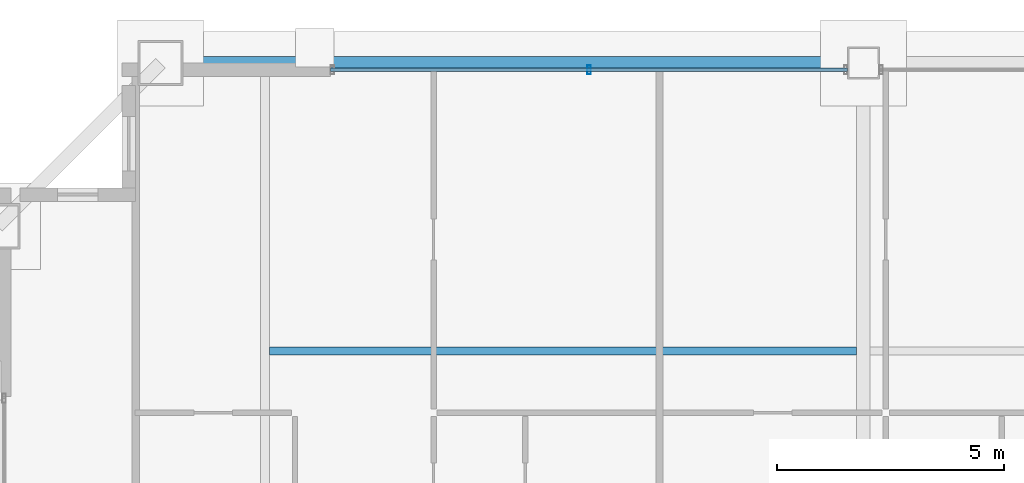
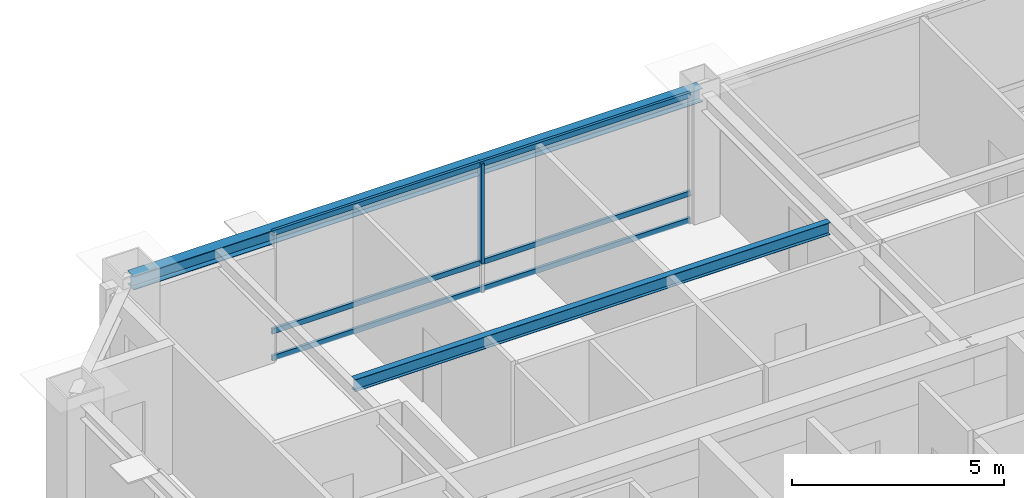
# One storey, part 17 of 34: 4 members, 2 beams, 1 element without a shape of its own.
"""IFC4 building model written with IfcOpenShell, lengths in metres."""

from ifc_helpers import new_model, si_unit, direction, frame, origin, origin_2d, place, context, subcontext, project, spatial, hollow_rectangle, i_section, extrude, source, transform, mapped, material, layer, layer_set, material_profile, profile_set, type_object, element, aggregate, save


model = new_model("IFC4")

# Units and contexts
model_context = context("Model", 3, precision=1e-05, world=origin(), true_north=direction((0.0, 1.0)))
body_context = subcontext(model_context, "Body", "Model", "MODEL_VIEW")
ifc_project = project(units=[si_unit("LENGTHUNIT", "METRE"), si_unit("AREAUNIT", "SQUARE_METRE"), si_unit("VOLUMEUNIT", "CUBIC_METRE"), si_unit("PLANEANGLEUNIT", "RADIAN"), si_unit("MASSUNIT", "GRAM", prefix="KILO"), si_unit("THERMODYNAMICTEMPERATUREUNIT", "KELVIN"), si_unit("POWERUNIT", "WATT")], contexts=[model_context])

# Site, building, storey
site_placement = place(None, origin())
site = spatial("IfcSite", under=ifc_project, at=site_placement, CompositionType="ELEMENT")
building_placement = place(site_placement, origin())
building = spatial("IfcBuilding", under=site, at=building_placement, Name="Yuzanri Waterfront Tower", CompositionType="ELEMENT")
storey_placement = place(building_placement, frame((0.0, 0.0, 347.199951171875)))
storey = spatial("IfcBuildingStorey", under=building, at=storey_placement, Name="L93", CompositionType="ELEMENT", Elevation=347.199951171875)

# Beams
ifc_material_1 = material(Name="Steel Q355B", Category="steel")
ifc_material_profile_1 = material_profile(ifc_material_1, i_section(OverallWidth=0.175048828125, OverallDepth=0.35009765625, WebThickness=0.007080078125, FlangeThickness=0.010986328125, at=origin_2d()), Name="HN 350x175x7x11")
ifc_profile_set_1 = profile_set([ifc_material_profile_1], Name="Steel Q355B")
beam_type_1 = type_object("IfcBeamType", Name="Floor Joist Q355B HN 350x175", PredefinedType="JOIST", material=ifc_profile_set_1)
shared_shape_1 = source(origin(), body_context, "Body", "SweptSolid", [
    extrude(i_section(OverallWidth=0.175048828125, OverallDepth=0.35009765625, WebThickness=0.007080078125, FlangeThickness=0.010986328125, at=origin_2d()), origin(), (0.0, 0.0, 1.0), 12.9501953125),
])
beam_1_placement = place(storey_placement, frame((23.89990234375, 38.550048828125, 3.525146484375), z_axis=(1.0, 0.0, 0.0), x_axis=(0.0, 1.0, 0.0)))
element("IfcBeam", 1, at=beam_1_placement, inside=storey, type_object=beam_type_1, Name="L93 North Bay Joist W", PredefinedType="JOIST", context=body_context, shape_type="MappedRepresentation", body=[
    mapped(shared_shape_1, transform((0.0, 0.0, 0.0), scale=1.0)),
])
ifc_material_2 = material(Name="Steel Q355B", Category="steel")
ifc_material_profile_2 = material_profile(ifc_material_2, i_section(OverallWidth=0.300048828125, OverallDepth=0.389892578125, WebThickness=0.010009765625, FlangeThickness=0.01611328125, at=origin_2d()), Name="HM 390x300x10x16")
ifc_profile_set_2 = profile_set([ifc_material_profile_2], Name="Steel Q355B")
beam_type_2 = type_object("IfcBeamType", Name="Perimeter Spandrel Q355B HM 390x300", PredefinedType="SPANDREL", material=ifc_profile_set_2)
shared_shape_2 = source(origin(), body_context, "Body", "SweptSolid", [
    extrude(i_section(OverallWidth=0.300048828125, OverallDepth=0.389892578125, WebThickness=0.010009765625, FlangeThickness=0.01611328125, at=origin_2d()), origin(), (0.0, 0.0, 1.0), 15.5),
])
beam_2_placement = place(storey_placement, frame((37.0, 44.89990234375, 3.505126953125), z_axis=(-1.0, 0.0, 0.0), x_axis=(0.0, -1.0, 0.0)))
element("IfcBeam", 2, at=beam_2_placement, inside=storey, type_object=beam_type_2, Name="L93 Perimeter Spandrel N2-N1", PredefinedType="SPANDREL", context=body_context, shape_type="MappedRepresentation", body=[
    mapped(shared_shape_2, transform((0.0, 0.0, 0.0), scale=1.0)),
])

# Curtain wall, members
ifc_material_3 = material(Name="Anodized Architectural Bronze", Category="metal")
ifc_layer = layer(ifc_material_3, 0.159912109375)
ifc_layer_set = layer_set([ifc_layer], Name="Anodized Architectural Bronze")
curtain_wall_type = type_object("IfcCurtainWallType", Name="Anodized Bronze High-Rise Penthouse High-Wind Unitized Curtain Wall 6900", PredefinedType="NOTDEFINED", material=ifc_layer_set)
curtain_wall_placement = place(storey_placement, origin())
curtain_wall = element("IfcCurtainWall", 3, at=curtain_wall_placement, inside=storey, type_object=curtain_wall_type, Name="L93 Curtain Wall CW-L93-NL", PredefinedType="NOTDEFINED")
ifc_material_4 = material(Name="Anodized Architectural Bronze", Category="metal")
ifc_material_profile_3 = material_profile(ifc_material_4, hollow_rectangle(XDim=0.074951171875, YDim=0.14990234375, WallThickness=0.00390625, at=origin_2d()), Name="CWT 75x150")
ifc_profile_set_3 = profile_set([ifc_material_profile_3], Name="Anodized Architectural Bronze")
member_type_1 = type_object("IfcMemberType", Name="Anodized Bronze Primary Curtain-Wall Transom 75x150", PredefinedType="USERDEFINED", material=ifc_profile_set_3)
shared_shape_3 = source(origin(), body_context, "Body", "SweptSolid", [
    extrude(hollow_rectangle(XDim=0.074951171875, YDim=0.14990234375, WallThickness=0.00390625, at=origin_2d()), origin(), (0.0, 0.0, 1.0), 11.39990234375),
])
member_1_placement = place(storey_placement, frame((25.25, 44.75, 0.050048828125), z_axis=(1.0, 0.0, 0.0), x_axis=(0.0, 1.0, 0.0)))
member_1 = element("IfcMember", 4, at=member_1_placement, type_object=member_type_1, Name="CW-L93-NL Transom 1", ObjectType="TRANSOM", PredefinedType="USERDEFINED", context=body_context, shape_type="MappedRepresentation", body=[
    mapped(shared_shape_3, transform((0.0, 0.0, 0.0), scale=1.0)),
])
member_2_placement = place(storey_placement, frame((25.25, 44.75, 0.820068359375), z_axis=(1.0, 0.0, 0.0), x_axis=(0.0, 1.0, 0.0)))
member_2 = element("IfcMember", 5, at=member_2_placement, type_object=member_type_1, Name="CW-L93-NL Transom 2", ObjectType="TRANSOM", PredefinedType="USERDEFINED", context=body_context, shape_type="MappedRepresentation", body=[
    mapped(shared_shape_3, transform((0.0, 0.0, 0.0), scale=1.0)),
])
member_3_placement = place(storey_placement, frame((25.25, 44.75, 3.650146484375), z_axis=(1.0, 0.0, 0.0), x_axis=(0.0, 1.0, 0.0)))
member_3 = element("IfcMember", 6, at=member_3_placement, type_object=member_type_1, Name="CW-L93-NL Transom 3", ObjectType="TRANSOM", PredefinedType="USERDEFINED", context=body_context, shape_type="MappedRepresentation", body=[
    mapped(shared_shape_3, transform((0.0, 0.0, 0.0), scale=1.0)),
])
ifc_material_5 = material(Name="Anodized Architectural Bronze", Category="metal")
ifc_material_profile_4 = material_profile(ifc_material_5, hollow_rectangle(XDim=0.074951171875, YDim=0.199951171875, WallThickness=0.00390625, at=origin_2d()), Name="CWM 75x200")
ifc_profile_set_4 = profile_set([ifc_material_profile_4], Name="Anodized Architectural Bronze")
member_type_2 = type_object("IfcMemberType", Name="Anodized Bronze Primary Curtain-Wall Mullion 75x200", PredefinedType="MULLION", material=ifc_profile_set_4)
shared_shape_4 = source(origin(), body_context, "Body", "SweptSolid", [
    extrude(hollow_rectangle(XDim=0.074951171875, YDim=0.199951171875, WallThickness=0.00390625, at=origin_2d()), origin(), (0.0, 0.0, 1.0), 2.8779296875),
])
member_4_placement = place(storey_placement, frame((30.949951171875, 44.75, 0.822021484375), z_axis=(0.0, 0.0, 1.0), x_axis=(1.0, 0.0, 0.0)))
member_4 = element("IfcMember", 7, at=member_4_placement, type_object=member_type_2, Name="CW-L93-NL Upper Mullion 01", PredefinedType="MULLION", context=body_context, shape_type="MappedRepresentation", body=[
    mapped(shared_shape_4, transform((0.0, 0.0, 0.0), scale=1.0)),
])
aggregate(curtain_wall, [member_4, member_1, member_2, member_3])

save(model, "model.ifc")
